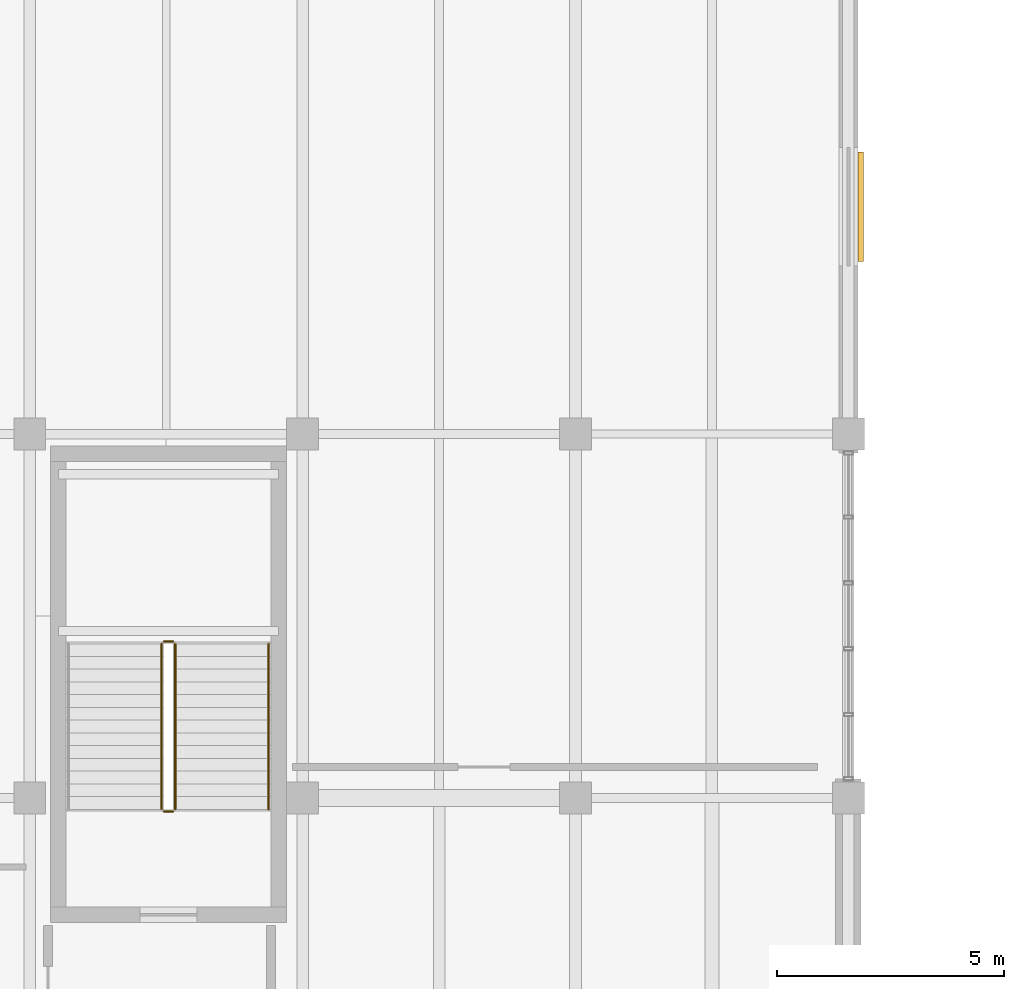
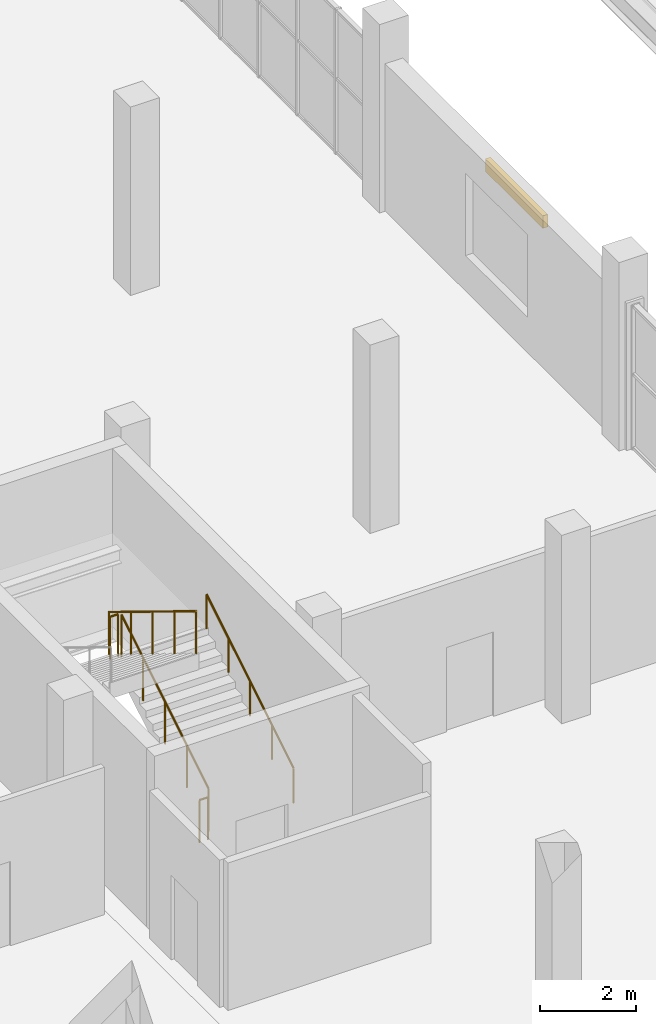
# One storey, part 110 of 114: 5 railings, 1 shading device.
"""IFC4 building model written with IfcOpenShell, lengths in metres."""

from ifc_helpers import new_model, si_unit, direction, frame, origin, origin_2d, place, context, subcontext, project, spatial, rectangle, circle, extrude, material, type_object, element, save


model = new_model("IFC4")

# Units and contexts
model_context = context("Model", 3, precision=1e-05, world=origin(), true_north=direction((0.0, 1.0)))
body_context = subcontext(model_context, "Body", "Model", "MODEL_VIEW")
ifc_project = project(units=[si_unit("LENGTHUNIT", "METRE"), si_unit("AREAUNIT", "SQUARE_METRE"), si_unit("VOLUMEUNIT", "CUBIC_METRE"), si_unit("PLANEANGLEUNIT", "RADIAN"), si_unit("MASSUNIT", "GRAM", prefix="KILO")], contexts=[model_context])

# Site, building, storey
site_placement = place(None, origin())
site = spatial("IfcSite", under=ifc_project, at=site_placement, CompositionType="ELEMENT")
building_placement = place(site_placement, origin())
building = spatial("IfcBuilding", under=site, at=building_placement, Name="Verrall Gate Interchange", CompositionType="ELEMENT")
storey_placement = place(building_placement, frame((0.0, 0.0, 6.60009765625)))
storey = spatial("IfcBuildingStorey", under=building, at=storey_placement, Name="L02", CompositionType="ELEMENT", Elevation=6.60009765625)

# Railings
ifc_material_1 = material(Name="Brushed Stainless-Steel Guardrail and Handrail System", Category="steel")
railing_type_1 = type_object("IfcRailingType", Name="GR-02 Interior Atrium and Stair Guardrail 1100", PredefinedType="GUARDRAIL", material=ifc_material_1)
railing_1_placement = place(storey_placement, frame((21.199951171875, 65.75, 0.17138671875)))
element("IfcRailing", 1, at=railing_1_placement, inside=storey, type_object=railing_type_1, Name="L02 ST-04 stair guard 1", PredefinedType="GUARDRAIL", context=body_context, shape_type="SweptSolid", body=[
    extrude(circle(Radius=0.02392578125, at=origin_2d()), frame((0.0, 0.0, 1.076171875), z_axis=(0.0, 0.852850264322, 0.5221555579), x_axis=(-1.0, 0.0, 0.0)), (0.0, 0.0, 1.0), 4.267822265625),
    extrude(circle(Radius=0.02099609375, at=origin_2d()), origin(), (0.0, 0.0, 1.0), 1.052001953125),
    extrude(circle(Radius=0.02099609375, at=origin_2d()), frame((0.0, 0.909912109375, 0.55712890625)), (0.0, 0.0, 1.0), 1.052001953125),
    extrude(circle(Radius=0.02099609375, at=origin_2d()), frame((0.0, 1.81982421875, 1.1142578125)), (0.0, 0.0, 1.0), 1.052001953125),
    extrude(circle(Radius=0.02099609375, at=origin_2d()), frame((0.0, 2.72998046875, 1.67138671875)), (0.0, 0.0, 1.0), 1.052001953125),
    extrude(circle(Radius=0.02099609375, at=origin_2d()), frame((0.0, 3.639892578125, 2.228515625)), (0.0, 0.0, 1.0), 1.052001953125),
])
railing_2_placement = place(storey_placement, frame((21.14990234375, 69.43994140625, 2.39990234375)))
element("IfcRailing", 2, at=railing_2_placement, inside=storey, type_object=railing_type_1, Name="L02 ST-04 stair guard 2", PredefinedType="GUARDRAIL", context=body_context, shape_type="SweptSolid", body=[
    extrude(circle(Radius=0.02392578125, at=origin_2d()), frame((0.0, 0.0, 1.076171875), z_axis=(-1.0, 0.0, 0.0), x_axis=(0.0, -1.0, 0.0)), (0.0, 0.0, 1.0), 0.199951171875),
    extrude(circle(Radius=0.02099609375, at=origin_2d()), origin(), (0.0, 0.0, 1.0), 1.052001953125),
    extrude(circle(Radius=0.02099609375, at=origin_2d()), frame((-0.199951171875, 0.0, 0.0)), (0.0, 0.0, 1.0), 1.052001953125),
])
railing_3_placement = place(storey_placement, frame((20.89990234375, 69.389892578125, 2.5712890625)))
element("IfcRailing", 3, at=railing_3_placement, inside=storey, type_object=railing_type_1, Name="L02 ST-04 stair guard 3", PredefinedType="GUARDRAIL", context=body_context, shape_type="SweptSolid", body=[
    extrude(circle(Radius=0.02392578125, at=origin_2d()), frame((0.0, 0.0, 1.076171875), z_axis=(0.0, -0.852850264322, 0.5221555579), x_axis=(1.0, 0.0, 0.0)), (0.0, 0.0, 1.0), 4.267822265625),
    extrude(circle(Radius=0.02099609375, at=origin_2d()), origin(), (0.0, 0.0, 1.0), 1.052001953125),
    extrude(circle(Radius=0.02099609375, at=origin_2d()), frame((0.0, -0.909912109375, 0.55712890625)), (0.0, 0.0, 1.0), 1.052001953125),
    extrude(circle(Radius=0.02099609375, at=origin_2d()), frame((0.0, -1.81982421875, 1.1142578125)), (0.0, 0.0, 1.0), 1.052001953125),
    extrude(circle(Radius=0.02099609375, at=origin_2d()), frame((0.0, -2.72998046875, 1.67138671875)), (0.0, 0.0, 1.0), 1.052001953125),
    extrude(circle(Radius=0.02099609375, at=origin_2d()), frame((0.0, -3.639892578125, 2.228515625)), (0.0, 0.0, 1.0), 1.052001953125),
])
railing_4_placement = place(storey_placement, frame((21.14990234375, 65.699951171875, 0.0)))
element("IfcRailing", 4, at=railing_4_placement, inside=storey, type_object=railing_type_1, Name="L02 ST-04 stair guard 4", PredefinedType="GUARDRAIL", context=body_context, shape_type="SweptSolid", body=[
    extrude(circle(Radius=0.02392578125, at=origin_2d()), frame((0.0, 0.0, 1.076171875), z_axis=(-1.0, 0.0, 0.0), x_axis=(0.0, -1.0, 0.0)), (0.0, 0.0, 1.0), 0.199951171875),
    extrude(circle(Radius=0.02099609375, at=origin_2d()), origin(), (0.0, 0.0, 1.0), 1.052001953125),
    extrude(circle(Radius=0.02099609375, at=origin_2d()), frame((-0.199951171875, 0.0, 0.0)), (0.0, 0.0, 1.0), 1.052001953125),
])
ifc_material_2 = material(Name="Brushed Stainless-Steel Guardrail and Handrail System", Category="steel")
railing_type_2 = type_object("IfcRailingType", Name="HR-01 Stair and Ramp Pitch-Line Handrail 920", PredefinedType="HANDRAIL", material=ifc_material_2)
railing_5_placement = place(storey_placement, frame((23.25, 65.75, 0.17138671875)))
element("IfcRailing", 5, at=railing_5_placement, inside=storey, type_object=railing_type_2, Name="L02 ST-04 stair handrail 1", PredefinedType="HANDRAIL", context=body_context, shape_type="SweptSolid", body=[
    extrude(circle(Radius=0.02392578125, at=origin_2d()), frame((0.0, 0.0, 0.8759765625), z_axis=(0.0, 0.852850264322, 0.5221555579), x_axis=(-1.0, 0.0, 0.0)), (0.0, 0.0, 1.0), 4.267822265625),
    extrude(circle(Radius=0.02099609375, at=origin_2d()), origin(), (0.0, 0.0, 1.0), 0.851806640625),
    extrude(circle(Radius=0.02099609375, at=origin_2d()), frame((0.0, 0.909912109375, 0.55712890625)), (0.0, 0.0, 1.0), 0.851806640625),
    extrude(circle(Radius=0.02099609375, at=origin_2d()), frame((0.0, 1.81982421875, 1.1142578125)), (0.0, 0.0, 1.0), 0.851806640625),
    extrude(circle(Radius=0.02099609375, at=origin_2d()), frame((0.0, 2.72998046875, 1.67138671875)), (0.0, 0.0, 1.0), 0.851806640625),
    extrude(circle(Radius=0.02099609375, at=origin_2d()), frame((0.0, 3.639892578125, 2.228515625)), (0.0, 0.0, 1.0), 0.851806640625),
])

# Shading device
ifc_material_3 = material(Name="Architectural Bronze Anodized Extruded Louvre Assembly", Category="aluminium")
shading_device_type = type_object("IfcShadingDeviceType", Name="LV-01 Architectural Intake Louvre 2400x1200", PredefinedType="JALOUSIE", material=ifc_material_3)
shading_device_placement = place(storey_placement, frame((36.27001953125, 79.0, 2.9599609375), z_axis=(0.0, 0.0, 1.0), x_axis=(0.0, 1.0, 0.0)))
element("IfcShadingDevice", 6, at=shading_device_placement, inside=storey, type_object=shading_device_type, Name="L02 Architectural Bronze Brise-Soleil Louvre 019", PredefinedType="JALOUSIE", context=body_context, shape_type="SweptSolid", body=[
    extrude(rectangle(XDim=2.39990234375, YDim=0.1201171875, at=origin_2d()), origin(), (0.0, 0.0, 1.0), 0.320068359375),
])

save(model, "model.ifc")
